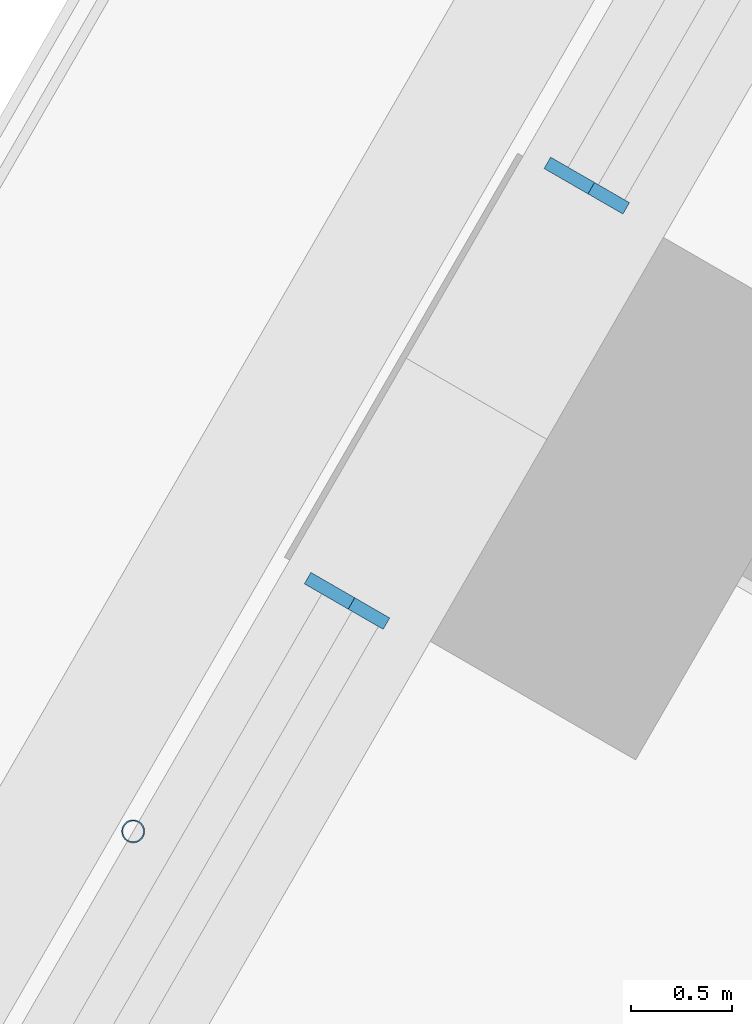
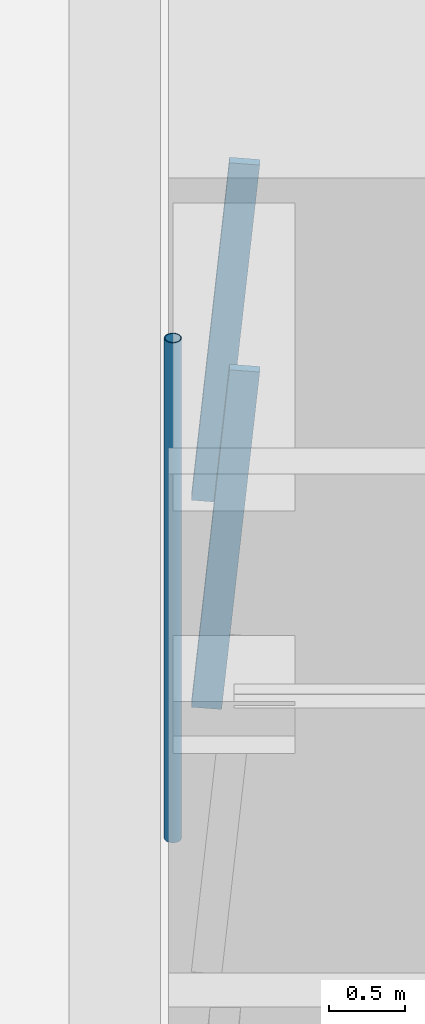
# One storey, part 7 of 23: 3 members, 2 elements without a shape of their own.
"""IFC4 building model written with IfcOpenShell, lengths in metres."""

from ifc_helpers import new_model, si_unit, direction, frame, origin, origin_2d, place, context, subcontext, project, spatial, rectangle, hollow_circle, extrude, material, material_profile, profile_set, type_object, element, aggregate, save


model = new_model("IFC4")

# Units and contexts
model_context = context("Model", 3, precision=1e-05, world=origin(), true_north=direction((0.0, 1.0)))
body_context = subcontext(model_context, "Body", "Model", "MODEL_VIEW")
ifc_project = project(units=[si_unit("LENGTHUNIT", "METRE"), si_unit("AREAUNIT", "SQUARE_METRE"), si_unit("VOLUMEUNIT", "CUBIC_METRE"), si_unit("PLANEANGLEUNIT", "RADIAN"), si_unit("MASSUNIT", "GRAM", prefix="KILO")], contexts=[model_context])

# Site, building, storey
site_placement = place(None, origin())
site = spatial("IfcSite", under=ifc_project, at=site_placement, CompositionType="ELEMENT")
building_placement = place(site_placement, origin())
building = spatial("IfcBuilding", under=site, at=building_placement, Name="Tarfa Lantern Tower", CompositionType="ELEMENT")
storey_placement = place(building_placement, frame((0.0, 0.0, 40.300048828125)))
storey = spatial("IfcBuildingStorey", under=building, at=storey_placement, Name="L08", CompositionType="ELEMENT", Elevation=40.300048828125)

# Curtain wall, member
ifc_material_1 = material(Name="Aluminium framed curtain wall", Category="aluminium")
curtain_wall_type = type_object("IfcCurtainWallType", Name="CW1 CANTED GLAZING LOW ZONE 2700", PredefinedType="USERDEFINED", material=ifc_material_1)
curtain_wall_1_placement = place(storey_placement, origin())
curtain_wall_1 = element("IfcCurtainWall", 1, at=curtain_wall_1_placement, inside=storey, type_object=curtain_wall_type, Name="CW1 NW L08", ObjectType="CURTAIN WALL", PredefinedType="USERDEFINED")
ifc_material_2 = material(Name="Aluminium mullion", Category="aluminium")
ifc_material_profile_1 = material_profile(ifc_material_2, rectangle(XDim=0.06494140625, YDim=0.199951171875, at=origin_2d()), Name="AL MULLION 65x200")
ifc_profile_set_1 = profile_set([ifc_material_profile_1], Name="Aluminium mullion")
member_type_1 = type_object("IfcMemberType", Name="CWM1 MULLION 65x200", PredefinedType="MULLION", material=ifc_profile_set_1)
member_1_placement = place(storey_placement, frame((-31.46142578125, 13.307373046875, 0.0), z_axis=(0.07986442134, -0.046099868913, 0.99573916077), x_axis=(0.499919672301, 0.866071776036, 0.0)))
member_1 = element("IfcMember", 2, at=member_1_placement, type_object=member_type_1, Name="CW1 mullion 2", PredefinedType="MULLION", context=body_context, shape_type="SweptSolid", body=[
    extrude(rectangle(XDim=0.06494140625, YDim=0.199951171875, at=origin_2d()), origin(), (0.0, 0.0, 1.0), 2.71142578125),
])
aggregate(curtain_wall_1, [member_1])

curtain_wall_2_placement = place(storey_placement, origin())
curtain_wall_2 = element("IfcCurtainWall", 3, at=curtain_wall_2_placement, inside=storey, type_object=curtain_wall_type, Name="CW1 NW L08", ObjectType="CURTAIN WALL", PredefinedType="USERDEFINED")
member_2_placement = place(storey_placement, frame((-32.643798828125, 11.25927734375, 0.0), z_axis=(0.07986442134, -0.046099868913, 0.99573916077), x_axis=(0.499919672301, 0.866071776036, 0.0)))
member_2 = element("IfcMember", 4, at=member_2_placement, type_object=member_type_1, Name="CW1 mullion 1", PredefinedType="MULLION", context=body_context, shape_type="SweptSolid", body=[
    extrude(rectangle(XDim=0.06494140625, YDim=0.199951171875, at=origin_2d()), origin(), (0.0, 0.0, 1.0), 2.71142578125),
])
aggregate(curtain_wall_2, [member_2])

# Member
ifc_material_3 = material(Name="Steel S355", Category="steel")
ifc_material_profile_2 = material_profile(ifc_material_3, hollow_circle(Radius=0.05712890625, WallThickness=0.00634765625, at=origin_2d()), Name="CHS114.3x6.3")
ifc_profile_set_2 = profile_set([ifc_material_profile_2], Name="Steel S355")
member_type_2 = type_object("IfcMemberType", Name="TR1 GREEN WALL TRELLIS CHS114.3x6.3", PredefinedType="USERDEFINED", material=ifc_profile_set_2)
member_3_placement = place(storey_placement, frame((-33.59033203125, 10.06005859375, 0.0), z_axis=(0.0, 0.0, 1.0), x_axis=(1.0, 0.0, 0.0)))
element("IfcMember", 5, at=member_3_placement, inside=storey, type_object=member_type_2, Name="Trellis post NW 2", ObjectType="TRELLIS", PredefinedType="USERDEFINED", context=body_context, shape_type="SweptSolid", body=[
    extrude(hollow_circle(Radius=0.05712890625, WallThickness=0.00634765625, at=origin_2d()), origin(), (0.0, 0.0, 1.0), 4.0),
])

save(model, "model.ifc")
